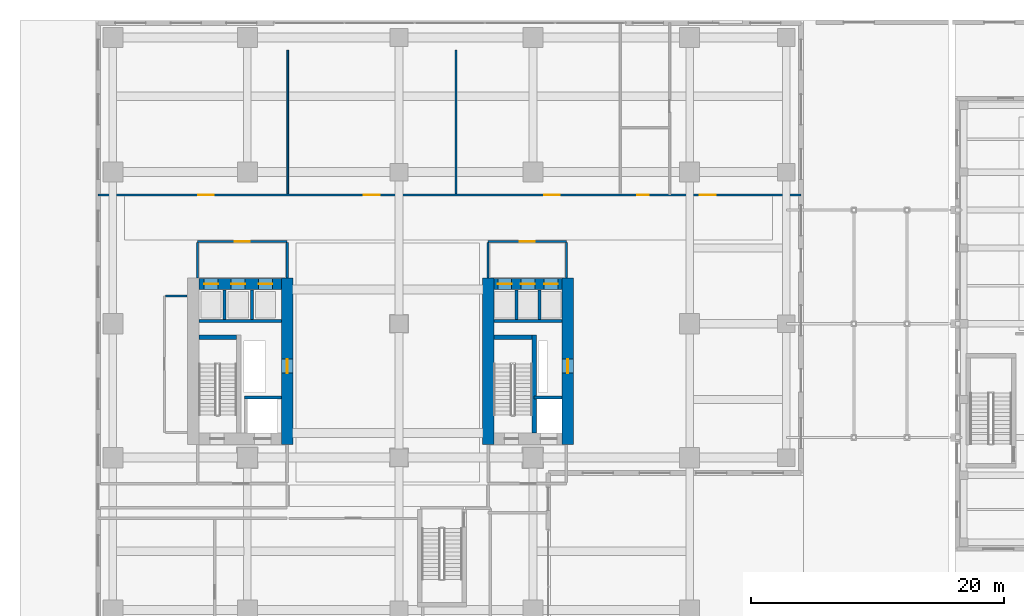
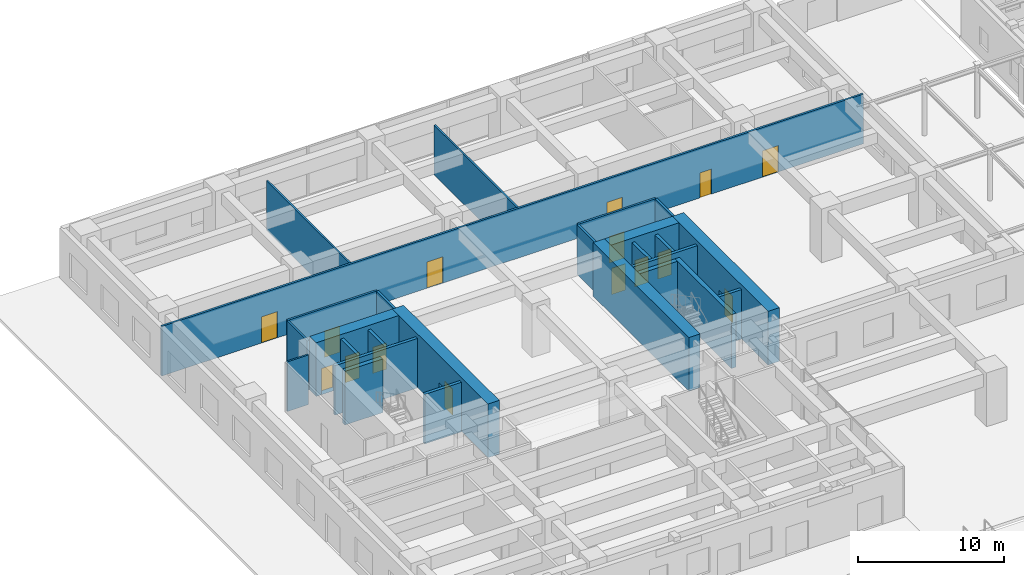
# One storey, part 25 of 39: 26 walls, 15 doors, 15 openings.
"""IFC4 building model written with IfcOpenShell, lengths in metres."""

from ifc_helpers import new_model, si_unit, direction, frame, frame_2d, origin, place, context, subcontext, project, spatial, rectangle, extrude, source, transform, mapped, material, layer, layer_set, type_object, element, fill, save


model = new_model("IFC4")

# Units and contexts
model_context = context("Model", 3, precision=1e-05, world=origin(), true_north=direction((0.0, 1.0)))
body_context = subcontext(model_context, "Body", "Model", "MODEL_VIEW")
ifc_project = project(units=[si_unit("LENGTHUNIT", "METRE"), si_unit("AREAUNIT", "SQUARE_METRE"), si_unit("VOLUMEUNIT", "CUBIC_METRE"), si_unit("PLANEANGLEUNIT", "RADIAN"), si_unit("MASSUNIT", "GRAM", prefix="KILO")], contexts=[model_context])

# Site, building, storey
site_placement = place(None, origin())
site = spatial("IfcSite", under=ifc_project, at=site_placement, CompositionType="ELEMENT")
building_placement = place(site_placement, origin())
building = spatial("IfcBuilding", under=site, at=building_placement, Name="Khoralis Quay Care Tower", CompositionType="ELEMENT")
storey_placement = place(building_placement, origin())
storey = spatial("IfcBuildingStorey", under=building, at=storey_placement, Name="L00", CompositionType="ELEMENT", Elevation=0.0)

# Wall, opening, door
ifc_material_1 = material(Name="Concrete C80/95", Category="concrete")
ifc_layer_1 = layer(ifc_material_1, 0.89990234375)
ifc_layer_set_1 = layer_set([ifc_layer_1], Name="Concrete C80/95")
wall_type_1 = type_object("IfcWallType", Name="WL-CORE-900", PredefinedType="SHEAR", material=ifc_layer_set_1)
wall_1_placement = place(storey_placement, frame((15.14990234375, 14.449951171875, 0.0), z_axis=(0.0, 0.0, 1.0), x_axis=(0.0, 1.0, 0.0)))
wall_1 = element("IfcWall", 1, at=wall_1_placement, inside=storey, type_object=wall_type_1, Name="L00 WCORE East Shear Wall", PredefinedType="SHEAR", context=body_context, shape_type="SweptSolid", body=[
    extrude(rectangle(XDim=13.150146484375, YDim=0.89990234375, at=frame_2d((6.5751953125, 0.0))), origin(), (0.0, 0.0, 1.0), 4.5),
])
opening_1_placement = place(wall_1_placement, frame((5.64990234375, 0.0, 0.0)))
opening_1 = element("IfcOpeningElement", 2, at=opening_1_placement, cuts=wall_1, Name="Opening SD1", PredefinedType="OPENING", context=body_context, shape_type="SweptSolid", body=[
    extrude(rectangle(XDim=1.10009765625, YDim=2.199951171875, at=frame_2d((0.550048828125, 1.10009765625))), frame((0.0, 0.4599609375, 0.0), z_axis=(0.0, -1.0, 0.0), x_axis=(1.0, 0.0, 0.0)), (0.0, 0.0, 1.0), 0.919921875),
])
ifc_material_2 = material(Name="Fire-rated painted steel", Category="steel")
door_type_1 = type_object("IfcDoorType", Name="DR-STAIR-1100X2200", OperationType="NOTDEFINED", PredefinedType="DOOR", material=ifc_material_2)
shared_shape_1 = source(origin(), body_context, "Body", "SweptSolid", [
    extrude(rectangle(XDim=1.10009765625, YDim=2.199951171875, at=frame_2d((0.550048828125, 1.10009765625))), frame((0.0, 0.02490234375, 0.0), z_axis=(0.0, -1.0, 0.0), x_axis=(1.0, 0.0, 0.0)), (0.0, 0.0, 1.0), 0.050048828125),
])
door_1_placement = place(opening_1_placement, origin())
door_1 = element("IfcDoor", 3, at=door_1_placement, inside=storey, type_object=door_type_1, Name="L00 West MEP Riser Door", OperationType="SINGLE_SWING_RIGHT", OverallHeight=2.199951171875, OverallWidth=1.10009765625, PredefinedType="DOOR", context=body_context, shape_type="MappedRepresentation", body=[
    mapped(shared_shape_1, transform((0.0, 0.0, 0.0), scale=1.0)),
])
fill(opening_1, door_1)

# Wall, openings, doors
wall_2_placement = place(storey_placement, frame((8.14990234375, 27.14990234375, 0.0), z_axis=(0.0, 0.0, 1.0), x_axis=(1.0, 0.0, 0.0)))
wall_2 = element("IfcWall", 4, at=wall_2_placement, inside=storey, type_object=wall_type_1, Name="L00 WCORE North Shear Wall", PredefinedType="SHEAR", context=body_context, shape_type="SweptSolid", body=[
    extrude(rectangle(XDim=6.550048828125, YDim=0.89990234375, at=frame_2d((3.27490234375, 0.0))), origin(), (0.0, 0.0, 1.0), 4.5),
])
opening_2_placement = place(wall_2_placement, frame((0.429931640625, 0.0, 0.0)))
opening_2 = element("IfcOpeningElement", 5, at=opening_2_placement, cuts=wall_2, Name="Opening LD1", PredefinedType="OPENING", context=body_context, shape_type="SweptSolid", body=[
    extrude(rectangle(XDim=1.10009765625, YDim=2.199951171875, at=frame_2d((0.550048828125, 1.10009765625))), frame((0.0, 0.4599609375, 0.0), z_axis=(0.0, -1.0, 0.0), x_axis=(1.0, 0.0, 0.0)), (0.0, 0.0, 1.0), 0.919921875),
])
opening_3_placement = place(wall_2_placement, frame((2.570068359375, 0.0, 0.0)))
opening_3 = element("IfcOpeningElement", 6, at=opening_3_placement, cuts=wall_2, Name="Opening LD1", PredefinedType="OPENING", context=body_context, shape_type="SweptSolid", body=[
    extrude(rectangle(XDim=1.10009765625, YDim=2.199951171875, at=frame_2d((0.550048828125, 1.10009765625))), frame((0.0, 0.4599609375, 0.0), z_axis=(0.0, -1.0, 0.0), x_axis=(1.0, 0.0, 0.0)), (0.0, 0.0, 1.0), 0.919921875),
])
opening_4_placement = place(wall_2_placement, frame((4.72998046875, 0.0, 0.0)))
opening_4 = element("IfcOpeningElement", 7, at=opening_4_placement, cuts=wall_2, Name="Opening LD1", PredefinedType="OPENING", context=body_context, shape_type="SweptSolid", body=[
    extrude(rectangle(XDim=1.10009765625, YDim=2.199951171875, at=frame_2d((0.550048828125, 1.10009765625))), frame((0.0, 0.4599609375, 0.0), z_axis=(0.0, -1.0, 0.0), x_axis=(1.0, 0.0, 0.0)), (0.0, 0.0, 1.0), 0.919921875),
])
ifc_material_3 = material(Name="Brushed stainless steel", Category="steel")
door_type_2 = type_object("IfcDoorType", Name="DR-LIFT-1100X2200", OperationType="SLIDING_TO_LEFT", PredefinedType="DOOR", material=ifc_material_3)
shared_shape_2 = source(origin(), body_context, "Body", "SweptSolid", [
    extrude(rectangle(XDim=1.10009765625, YDim=2.199951171875, at=frame_2d((0.550048828125, 1.10009765625))), frame((0.0, 0.02490234375, 0.0), z_axis=(0.0, -1.0, 0.0), x_axis=(1.0, 0.0, 0.0)), (0.0, 0.0, 1.0), 0.050048828125),
])
door_2_placement = place(opening_2_placement, origin())
door_2 = element("IfcDoor", 8, at=door_2_placement, inside=storey, type_object=door_type_2, Name="L00 Lift PLL1 Landing Door", OperationType="SLIDING_TO_LEFT", OverallHeight=2.199951171875, OverallWidth=1.10009765625, PredefinedType="DOOR", context=body_context, shape_type="MappedRepresentation", body=[
    mapped(shared_shape_2, transform((0.0, 0.0, 0.0), scale=1.0)),
])
fill(opening_2, door_2)
door_3_placement = place(opening_3_placement, origin())
door_3 = element("IfcDoor", 9, at=door_3_placement, inside=storey, type_object=door_type_2, Name="L00 Lift PLM1 Landing Door", OperationType="SLIDING_TO_LEFT", OverallHeight=2.199951171875, OverallWidth=1.10009765625, PredefinedType="DOOR", context=body_context, shape_type="MappedRepresentation", body=[
    mapped(shared_shape_2, transform((0.0, 0.0, 0.0), scale=1.0)),
])
fill(opening_3, door_3)
door_4_placement = place(opening_4_placement, origin())
door_4 = element("IfcDoor", 10, at=door_4_placement, inside=storey, type_object=door_type_2, Name="L00 Lift PLH1 Landing Door", OperationType="SLIDING_TO_LEFT", OverallHeight=2.199951171875, OverallWidth=1.10009765625, PredefinedType="DOOR", context=body_context, shape_type="MappedRepresentation", body=[
    mapped(shared_shape_2, transform((0.0, 0.0, 0.0), scale=1.0)),
])
fill(opening_4, door_4)

# Wall
wall_3_placement = place(storey_placement, frame((31.070068359375, 14.449951171875, 0.0), z_axis=(0.0, 0.0, 1.0), x_axis=(0.0, 1.0, 0.0)))
element("IfcWall", 11, at=wall_3_placement, inside=storey, type_object=wall_type_1, Name="L00 ECORE West Shear Wall", PredefinedType="SHEAR", context=body_context, shape_type="SweptSolid", body=[
    extrude(rectangle(XDim=13.150146484375, YDim=0.89990234375, at=frame_2d((6.5751953125, 0.0))), origin(), (0.0, 0.0, 1.0), 4.5),
])

# Wall, opening, door
wall_4_placement = place(storey_placement, frame((37.35009765625, 14.449951171875, 0.0), z_axis=(0.0, 0.0, 1.0), x_axis=(0.0, 1.0, 0.0)))
wall_4 = element("IfcWall", 12, at=wall_4_placement, inside=storey, type_object=wall_type_1, Name="L00 ECORE East Shear Wall", PredefinedType="SHEAR", context=body_context, shape_type="SweptSolid", body=[
    extrude(rectangle(XDim=13.150146484375, YDim=0.89990234375, at=frame_2d((6.5751953125, 0.0))), origin(), (0.0, 0.0, 1.0), 4.5),
])
opening_5_placement = place(wall_4_placement, frame((5.64990234375, 0.0, 0.0)))
opening_5 = element("IfcOpeningElement", 13, at=opening_5_placement, cuts=wall_4, Name="Opening SD1", PredefinedType="OPENING", context=body_context, shape_type="SweptSolid", body=[
    extrude(rectangle(XDim=1.10009765625, YDim=2.199951171875, at=frame_2d((0.550048828125, 1.10009765625))), frame((0.0, 0.4599609375, 0.0), z_axis=(0.0, -1.0, 0.0), x_axis=(1.0, 0.0, 0.0)), (0.0, 0.0, 1.0), 0.919921875),
])
door_5_placement = place(opening_5_placement, frame((1.10009765625, 0.0, 0.0), z_axis=(0.0, 0.0, 1.0), x_axis=(-1.0, 0.0, 0.0)))
door_5 = element("IfcDoor", 14, at=door_5_placement, inside=storey, type_object=door_type_1, Name="L00 East MEP Riser Door", OperationType="SINGLE_SWING_LEFT", OverallHeight=2.199951171875, OverallWidth=1.10009765625, PredefinedType="DOOR", context=body_context, shape_type="MappedRepresentation", body=[
    mapped(shared_shape_1, transform((0.0, 0.0, 0.0), scale=1.0)),
])
fill(opening_5, door_5)

# Wall, openings, doors
wall_5_placement = place(storey_placement, frame((31.52001953125, 27.14990234375, 0.0), z_axis=(0.0, 0.0, 1.0), x_axis=(1.0, 0.0, 0.0)))
wall_5 = element("IfcWall", 15, at=wall_5_placement, inside=storey, type_object=wall_type_1, Name="L00 ECORE North Shear Wall", PredefinedType="SHEAR", context=body_context, shape_type="SweptSolid", body=[
    extrude(rectangle(XDim=5.3798828125, YDim=0.89990234375, at=frame_2d((2.68994140625, 0.0))), origin(), (0.0, 0.0, 1.0), 4.5),
])
opening_6_placement = place(wall_5_placement, frame((0.300048828125, 0.0, 0.0)))
opening_6 = element("IfcOpeningElement", 16, at=opening_6_placement, cuts=wall_5, Name="Opening LD1", PredefinedType="OPENING", context=body_context, shape_type="SweptSolid", body=[
    extrude(rectangle(XDim=1.10009765625, YDim=2.199951171875, at=frame_2d((0.550048828125, 1.10009765625))), frame((0.0, 0.4599609375, 0.0), z_axis=(0.0, -1.0, 0.0), x_axis=(1.0, 0.0, 0.0)), (0.0, 0.0, 1.0), 0.919921875),
])
opening_7_placement = place(wall_5_placement, frame((2.1298828125, 0.0, 0.0)))
opening_7 = element("IfcOpeningElement", 17, at=opening_7_placement, cuts=wall_5, Name="Opening LD1", PredefinedType="OPENING", context=body_context, shape_type="SweptSolid", body=[
    extrude(rectangle(XDim=1.10009765625, YDim=2.199951171875, at=frame_2d((0.550048828125, 1.10009765625))), frame((0.0, 0.4599609375, 0.0), z_axis=(0.0, -1.0, 0.0), x_axis=(1.0, 0.0, 0.0)), (0.0, 0.0, 1.0), 0.919921875),
])
opening_8_placement = place(wall_5_placement, frame((3.9599609375, 0.0, 0.0)))
opening_8 = element("IfcOpeningElement", 18, at=opening_8_placement, cuts=wall_5, Name="Opening LD1", PredefinedType="OPENING", context=body_context, shape_type="SweptSolid", body=[
    extrude(rectangle(XDim=1.10009765625, YDim=2.199951171875, at=frame_2d((0.550048828125, 1.10009765625))), frame((0.0, 0.4599609375, 0.0), z_axis=(0.0, -1.0, 0.0), x_axis=(1.0, 0.0, 0.0)), (0.0, 0.0, 1.0), 0.919921875),
])
door_6_placement = place(opening_6_placement, origin())
door_6 = element("IfcDoor", 19, at=door_6_placement, inside=storey, type_object=door_type_2, Name="L00 Lift PLL2 Landing Door", OperationType="SLIDING_TO_LEFT", OverallHeight=2.199951171875, OverallWidth=1.10009765625, PredefinedType="DOOR", context=body_context, shape_type="MappedRepresentation", body=[
    mapped(shared_shape_2, transform((0.0, 0.0, 0.0), scale=1.0)),
])
fill(opening_6, door_6)
door_7_placement = place(opening_7_placement, origin())
door_7 = element("IfcDoor", 20, at=door_7_placement, inside=storey, type_object=door_type_2, Name="L00 Lift PLM2 Landing Door", OperationType="SLIDING_TO_LEFT", OverallHeight=2.199951171875, OverallWidth=1.10009765625, PredefinedType="DOOR", context=body_context, shape_type="MappedRepresentation", body=[
    mapped(shared_shape_2, transform((0.0, 0.0, 0.0), scale=1.0)),
])
fill(opening_7, door_7)
door_8_placement = place(opening_8_placement, origin())
door_8 = element("IfcDoor", 21, at=door_8_placement, inside=storey, type_object=door_type_2, Name="L00 Lift PLH2 Landing Door", OperationType="SLIDING_TO_LEFT", OverallHeight=2.199951171875, OverallWidth=1.10009765625, PredefinedType="DOOR", context=body_context, shape_type="MappedRepresentation", body=[
    mapped(shared_shape_2, transform((0.0, 0.0, 0.0), scale=1.0)),
])
fill(opening_8, door_8)

# Wall, opening, door
ifc_material_4 = material(Name="Gypsum plasterboard on acoustic metal stud")
ifc_layer_2 = layer(ifc_material_4, 0.1650390625)
ifc_layer_set_2 = layer_set([ifc_layer_2], Name="Gypsum plasterboard on acoustic metal stud")
wall_type_2 = type_object("IfcWallType", Name="WL-CORR-165", PredefinedType="PARTITIONING", material=ifc_layer_set_2)
wall_6_placement = place(storey_placement, frame((8.050048828125, 30.5, 0.0), z_axis=(0.0, 0.0, 1.0), x_axis=(1.0, 0.0, 0.0)))
wall_6 = element("IfcWall", 22, at=wall_6_placement, inside=storey, type_object=wall_type_2, Name="L00 West Lift Lobby North Wall", PredefinedType="PARTITIONING", context=body_context, shape_type="SweptSolid", body=[
    extrude(rectangle(XDim=7.099853515625, YDim=0.1650390625, at=frame_2d((3.5498046875, 0.0))), origin(), (0.0, 0.0, 1.0), 4.159912109375),
])
opening_9_placement = place(wall_6_placement, frame((2.949951171875, 0.0, 0.0)))
opening_9 = element("IfcOpeningElement", 23, at=opening_9_placement, cuts=wall_6, Name="Opening FD1", PredefinedType="OPENING", context=body_context, shape_type="SweptSolid", body=[
    extrude(rectangle(XDim=1.199951171875, YDim=2.199951171875, at=frame_2d((0.60009765625, 1.10009765625))), frame((0.0, 0.092529296875, 0.0), z_axis=(0.0, -1.0, 0.0), x_axis=(1.0, 0.0, 0.0)), (0.0, 0.0, 1.0), 0.18505859375),
])
door_type_3 = type_object("IfcDoorType", Name="DR-FFL-1200X2200", OperationType="NOTDEFINED", PredefinedType="DOOR", material=ifc_material_2)
shared_shape_3 = source(origin(), body_context, "Body", "SweptSolid", [
    extrude(rectangle(XDim=1.199951171875, YDim=2.199951171875, at=frame_2d((0.60009765625, 1.10009765625))), frame((0.0, 0.02490234375, 0.0), z_axis=(0.0, -1.0, 0.0), x_axis=(1.0, 0.0, 0.0)), (0.0, 0.0, 1.0), 0.050048828125),
])
door_9_placement = place(opening_9_placement, origin())
door_9 = element("IfcDoor", 24, at=door_9_placement, inside=storey, type_object=door_type_3, Name="L00 West Lift Lobby Double Door", OperationType="DOUBLE_DOOR_SINGLE_SWING", OverallHeight=2.199951171875, OverallWidth=1.199951171875, PredefinedType="DOOR", context=body_context, shape_type="MappedRepresentation", body=[
    mapped(shared_shape_3, transform((0.0, 0.0, 0.0), scale=1.0)),
])
fill(opening_9, door_9)

# Walls
for number, where, z_axis, x_axis, name in (
    (25, (8.050048828125, 27.6201171875, 0.0), (0.0, 0.0, 1.0), (0.0, 1.0, 0.0), "L00 West Lift Lobby West Wall"),
    (26, (15.14990234375, 27.6201171875, 0.0), (0.0, 0.0, 1.0), (0.0, 1.0, 0.0), "L00 West Lift Lobby East Wall"),
):
    element("IfcWall", number, at=place(storey_placement, frame(where, z_axis=z_axis, x_axis=x_axis)), inside=storey, type_object=wall_type_2, Name=name, PredefinedType="PARTITIONING", context=body_context, shape_type="SweptSolid", body=[
        extrude(rectangle(XDim=2.802490234375, YDim=0.1650390625, at=frame_2d((1.4013671875, 0.0))), origin(), (0.0, 0.0, 1.0), 4.159912109375),
    ])

# Wall, opening, door
wall_7_placement = place(storey_placement, frame((31.050048828125, 30.5, 0.0), z_axis=(0.0, 0.0, 1.0), x_axis=(1.0, 0.0, 0.0)))
wall_7 = element("IfcWall", 27, at=wall_7_placement, inside=storey, type_object=wall_type_2, Name="L00 East Lift Lobby North Wall", PredefinedType="PARTITIONING", context=body_context, shape_type="SweptSolid", body=[
    extrude(rectangle(XDim=6.199951171875, YDim=0.1650390625, at=frame_2d((3.10009765625, 0.0))), origin(), (0.0, 0.0, 1.0), 4.159912109375),
])
opening_10_placement = place(wall_7_placement, frame((2.5, 0.0, 0.0)))
opening_10 = element("IfcOpeningElement", 28, at=opening_10_placement, cuts=wall_7, Name="Opening FD1", PredefinedType="OPENING", context=body_context, shape_type="SweptSolid", body=[
    extrude(rectangle(XDim=1.199951171875, YDim=2.199951171875, at=frame_2d((0.60009765625, 1.10009765625))), frame((0.0, 0.092529296875, 0.0), z_axis=(0.0, -1.0, 0.0), x_axis=(1.0, 0.0, 0.0)), (0.0, 0.0, 1.0), 0.18505859375),
])
door_10_placement = place(opening_10_placement, origin())
door_10 = element("IfcDoor", 29, at=door_10_placement, inside=storey, type_object=door_type_3, Name="L00 East Lift Lobby Double Door", OperationType="DOUBLE_DOOR_SINGLE_SWING", OverallHeight=2.199951171875, OverallWidth=1.199951171875, PredefinedType="DOOR", context=body_context, shape_type="MappedRepresentation", body=[
    mapped(shared_shape_3, transform((0.0, 0.0, 0.0), scale=1.0)),
])
fill(opening_10, door_10)

# Walls
for number, where, z_axis, x_axis, name in (
    (30, (31.050048828125, 27.6201171875, 0.0), (0.0, 0.0, 1.0), (0.0, 1.0, 0.0), "L00 East Lift Lobby West Wall"),
    (31, (37.25, 27.6201171875, 0.0), (0.0, 0.0, 1.0), (0.0, 1.0, 0.0), "L00 East Lift Lobby East Wall"),
):
    element("IfcWall", number, at=place(storey_placement, frame(where, z_axis=z_axis, x_axis=x_axis)), inside=storey, type_object=wall_type_2, Name=name, PredefinedType="PARTITIONING", context=body_context, shape_type="SweptSolid", body=[
        extrude(rectangle(XDim=2.802490234375, YDim=0.1650390625, at=frame_2d((1.4013671875, 0.0))), origin(), (0.0, 0.0, 1.0), 4.159912109375),
    ])

# Wall, openings, doors
wall_8_placement = place(storey_placement, frame((0.18505859375, 34.199951171875, 0.0), z_axis=(0.0, 0.0, 1.0), x_axis=(1.0, 0.0, 0.0)))
wall_8 = element("IfcWall", 32, at=wall_8_placement, inside=storey, type_object=wall_type_2, Name="L00 Podium North Concourse Wall", PredefinedType="PARTITIONING", context=body_context, shape_type="SweptSolid", body=[
    extrude(rectangle(XDim=55.6298828125, YDim=0.1650390625, at=frame_2d((27.81494140625, 0.0))), origin(), (0.0, 0.0, 1.0), 4.159912109375),
])
opening_11_placement = place(wall_8_placement, frame((7.9150390625, 0.0, 0.0)))
opening_11 = element("IfcOpeningElement", 33, at=opening_11_placement, cuts=wall_8, Name="Opening CD1", PredefinedType="OPENING", context=body_context, shape_type="SweptSolid", body=[
    extrude(rectangle(XDim=1.25, YDim=2.199951171875, at=frame_2d((0.625, 1.10009765625))), frame((0.0, 0.092529296875, 0.0), z_axis=(0.0, -1.0, 0.0), x_axis=(1.0, 0.0, 0.0)), (0.0, 0.0, 1.0), 0.18505859375),
])
opening_12_placement = place(wall_8_placement, frame((21.0400390625, 0.0, 0.0)))
opening_12 = element("IfcOpeningElement", 34, at=opening_12_placement, cuts=wall_8, Name="Opening CD1", PredefinedType="OPENING", context=body_context, shape_type="SweptSolid", body=[
    extrude(rectangle(XDim=1.25, YDim=2.199951171875, at=frame_2d((0.625, 1.10009765625))), frame((0.0, 0.092529296875, 0.0), z_axis=(0.0, -1.0, 0.0), x_axis=(1.0, 0.0, 0.0)), (0.0, 0.0, 1.0), 0.18505859375),
])
opening_13_placement = place(wall_8_placement, frame((35.2900390625, 0.0, 0.0)))
opening_13 = element("IfcOpeningElement", 35, at=opening_13_placement, cuts=wall_8, Name="Opening CD1", PredefinedType="OPENING", context=body_context, shape_type="SweptSolid", body=[
    extrude(rectangle(XDim=1.25, YDim=2.199951171875, at=frame_2d((0.625, 1.10009765625))), frame((0.0, 0.092529296875, 0.0), z_axis=(0.0, -1.0, 0.0), x_axis=(1.0, 0.0, 0.0)), (0.0, 0.0, 1.0), 0.18505859375),
])
opening_14_placement = place(wall_8_placement, frame((42.68505859375, 0.0, 0.0)))
opening_14 = element("IfcOpeningElement", 36, at=opening_14_placement, cuts=wall_8, Name="Opening WD1", PredefinedType="OPENING", context=body_context, shape_type="SweptSolid", body=[
    extrude(rectangle(XDim=0.89990234375, YDim=2.10009765625, at=frame_2d((0.449951171875, 1.050048828125))), frame((0.0, 0.092529296875, 0.0), z_axis=(0.0, -1.0, 0.0), x_axis=(1.0, 0.0, 0.0)), (0.0, 0.0, 1.0), 0.18505859375),
])
opening_15_placement = place(wall_8_placement, frame((47.635009765625, 0.0, 0.0)))
opening_15 = element("IfcOpeningElement", 37, at=opening_15_placement, cuts=wall_8, Name="Opening CD1", PredefinedType="OPENING", context=body_context, shape_type="SweptSolid", body=[
    extrude(rectangle(XDim=1.25, YDim=2.199951171875, at=frame_2d((0.625, 1.10009765625))), frame((0.0, 0.092529296875, 0.0), z_axis=(0.0, -1.0, 0.0), x_axis=(1.0, 0.0, 0.0)), (0.0, 0.0, 1.0), 0.18505859375),
])
ifc_material_5 = material(Name="Acoustic hardwood timber", Category="wood")
door_type_4 = type_object("IfcDoorType", Name="DR-BATH-900X2100", OperationType="NOTDEFINED", PredefinedType="DOOR", material=ifc_material_5)
shared_shape_4 = source(origin(), body_context, "Body", "SweptSolid", [
    extrude(rectangle(XDim=0.89990234375, YDim=2.10009765625, at=frame_2d((0.449951171875, 1.050048828125))), frame((0.0, 0.02490234375, 0.0), z_axis=(0.0, -1.0, 0.0), x_axis=(1.0, 0.0, 0.0)), (0.0, 0.0, 1.0), 0.050048828125),
])
door_11_placement = place(opening_14_placement, origin())
door_11 = element("IfcDoor", 38, at=door_11_placement, inside=storey, type_object=door_type_4, Name="L00 Public Accessible WC Suite Door", OperationType="SINGLE_SWING_LEFT", OverallHeight=2.10009765625, OverallWidth=0.89990234375, PredefinedType="DOOR", context=body_context, shape_type="MappedRepresentation", body=[
    mapped(shared_shape_4, transform((0.0, 0.0, 0.0), scale=1.0)),
])
fill(opening_14, door_11)
door_type_5 = type_object("IfcDoorType", Name="DR-CARE-1250X2200", OperationType="NOTDEFINED", PredefinedType="DOOR", material=ifc_material_5)
shared_shape_5 = source(origin(), body_context, "Body", "SweptSolid", [
    extrude(rectangle(XDim=1.25, YDim=2.199951171875, at=frame_2d((0.625, 1.10009765625))), frame((0.0, 0.02490234375, 0.0), z_axis=(0.0, -1.0, 0.0), x_axis=(1.0, 0.0, 0.0)), (0.0, 0.0, 1.0), 0.050048828125),
])
door_12_placement = place(opening_11_placement, origin())
door_12 = element("IfcDoor", 39, at=door_12_placement, inside=storey, type_object=door_type_5, Name="L00 Outpatient Triage Clinic Door", OperationType="DOUBLE_DOOR_SINGLE_SWING", OverallHeight=2.199951171875, OverallWidth=1.25, PredefinedType="DOOR", context=body_context, shape_type="MappedRepresentation", body=[
    mapped(shared_shape_5, transform((0.0, 0.0, 0.0), scale=1.0)),
])
fill(opening_11, door_12)
door_13_placement = place(opening_12_placement, origin())
door_13 = element("IfcDoor", 40, at=door_13_placement, inside=storey, type_object=door_type_5, Name="L00 Geriatric Assessment Suite Door", OperationType="DOUBLE_DOOR_SINGLE_SWING", OverallHeight=2.199951171875, OverallWidth=1.25, PredefinedType="DOOR", context=body_context, shape_type="MappedRepresentation", body=[
    mapped(shared_shape_5, transform((0.0, 0.0, 0.0), scale=1.0)),
])
fill(opening_12, door_13)
door_14_placement = place(opening_13_placement, origin())
door_14 = element("IfcDoor", 41, at=door_14_placement, inside=storey, type_object=door_type_5, Name="L00 Community Wellness Cafe Door", OperationType="DOUBLE_DOOR_SINGLE_SWING", OverallHeight=2.199951171875, OverallWidth=1.25, PredefinedType="DOOR", context=body_context, shape_type="MappedRepresentation", body=[
    mapped(shared_shape_5, transform((0.0, 0.0, 0.0), scale=1.0)),
])
fill(opening_13, door_14)
door_15_placement = place(opening_15_placement, origin())
door_15 = element("IfcDoor", 42, at=door_15_placement, inside=storey, type_object=door_type_5, Name="L00 Podium Equipment Store Door", OperationType="SINGLE_SWING_RIGHT", OverallHeight=2.199951171875, OverallWidth=1.25, PredefinedType="DOOR", context=body_context, shape_type="MappedRepresentation", body=[
    mapped(shared_shape_5, transform((0.0, 0.0, 0.0), scale=1.0)),
])
fill(opening_15, door_15)

# Walls
ifc_material_6 = material(Name="Concrete C40/50", Category="concrete")
ifc_layer_3 = layer(ifc_material_6, 0.35009765625)
ifc_layer_set_3 = layer_set([ifc_layer_3], Name="Concrete C40/50")
wall_type_3 = type_object("IfcWallType", Name="WL-SC-CORE-350", PredefinedType="SHEAR", material=ifc_layer_set_3)
wall_9_placement = place(storey_placement, frame((8.14990234375, 22.925048828125, 0.0), z_axis=(0.0, 0.0, 1.0), x_axis=(1.0, 0.0, 0.0)))
element("IfcWall", 43, at=wall_9_placement, inside=storey, type_object=wall_type_3, Name="L00 Stair ST-T1 Shear Baffle Wall North", PredefinedType="SHEAR", context=body_context, shape_type="SweptSolid", body=[
    extrude(rectangle(XDim=3.0, YDim=0.35009765625, at=frame_2d((1.5, 0.0))), origin(), (0.0, 0.0, 1.0), 4.5),
])
wall_10_placement = place(storey_placement, frame((34.695068359375, 15.35009765625, 0.0), z_axis=(0.0, 0.0, 1.0), x_axis=(0.0, 1.0, 0.0)))
element("IfcWall", 44, at=wall_10_placement, inside=storey, type_object=wall_type_3, Name="L00 Stair ST-T2 Shear Baffle Wall East", PredefinedType="SHEAR", context=body_context, shape_type="SweptSolid", body=[
    extrude(rectangle(XDim=7.75, YDim=0.35009765625, at=frame_2d((3.875, 0.0))), origin(), (0.0, 0.0, 1.0), 4.5),
])
wall_11_placement = place(storey_placement, frame((31.52001953125, 22.925048828125, 0.0), z_axis=(0.0, 0.0, 1.0), x_axis=(1.0, 0.0, 0.0)))
element("IfcWall", 45, at=wall_11_placement, inside=storey, type_object=wall_type_3, Name="L00 Stair ST-T2 Shear Baffle Wall North", PredefinedType="SHEAR", context=body_context, shape_type="SweptSolid", body=[
    extrude(rectangle(XDim=3.0, YDim=0.35009765625, at=frame_2d((1.5, 0.0))), origin(), (0.0, 0.0, 1.0), 4.5),
])
ifc_layer_4 = layer(ifc_material_4, 0.239990234375)
ifc_layer_set_4 = layer_set([ifc_layer_4], Name="Gypsum plasterboard on acoustic metal stud")
wall_type_4 = type_object("IfcWallType", Name="WL-SHAFT-240", PredefinedType="PARTITIONING", material=ifc_layer_set_4)
wall_12_placement = place(storey_placement, frame((11.760009765625, 18.169921875, 0.0), z_axis=(0.0, 0.0, 1.0), x_axis=(1.0, 0.0, 0.0)))
element("IfcWall", 46, at=wall_12_placement, inside=storey, type_object=wall_type_4, Name="L00 FFL-1 Shaft Wall North", PredefinedType="PARTITIONING", context=body_context, shape_type="SweptSolid", body=[
    extrude(rectangle(XDim=2.919921875, YDim=0.239990234375, at=frame_2d((1.4599609375, 0.0))), origin(), (0.0, 0.0, 1.0), 4.159912109375),
])
wall_13_placement = place(storey_placement, frame((34.679931640625, 18.169921875, 0.0), z_axis=(0.0, 0.0, 1.0), x_axis=(1.0, 0.0, 0.0)))
element("IfcWall", 47, at=wall_13_placement, inside=storey, type_object=wall_type_4, Name="L00 FFL-2 Shaft Wall North", PredefinedType="PARTITIONING", context=body_context, shape_type="SweptSolid", body=[
    extrude(rectangle(XDim=2.199951171875, YDim=0.239990234375, at=frame_2d((1.10009765625, 0.0))), origin(), (0.0, 0.0, 1.0), 4.159912109375),
])
wall_14_placement = place(storey_placement, frame((8.14990234375, 24.22998046875, 0.0), z_axis=(0.0, 0.0, 1.0), x_axis=(1.0, 0.0, 0.0)))
element("IfcWall", 48, at=wall_14_placement, inside=storey, type_object=wall_type_4, Name="L00 West Passenger Shaft South Wall", PredefinedType="PARTITIONING", context=body_context, shape_type="SweptSolid", body=[
    extrude(rectangle(XDim=6.530029296875, YDim=0.239990234375, at=frame_2d((3.26513671875, 0.0))), origin(), (0.0, 0.0, 1.0), 4.159912109375),
])
for number, where, z_axis, x_axis, name in (
    (49, (10.199951171875, 24.344970703125, 0.0), (0.0, 0.0, 1.0), (0.0, 1.0, 0.0), "L00 West Shaft Divider 1"),
    (50, (12.35009765625, 24.344970703125, 0.0), (0.0, 0.0, 1.0), (0.0, 1.0, 0.0), "L00 West Shaft Divider 2"),
):
    element("IfcWall", number, at=place(storey_placement, frame(where, z_axis=z_axis, x_axis=x_axis)), inside=storey, type_object=wall_type_4, Name=name, PredefinedType="PARTITIONING", context=body_context, shape_type="SweptSolid", body=[
        extrude(rectangle(XDim=2.3349609375, YDim=0.239990234375, at=frame_2d((1.16748046875, 0.0))), origin(), (0.0, 0.0, 1.0), 4.159912109375),
    ])
wall_15_placement = place(storey_placement, frame((31.52001953125, 24.22998046875, 0.0), z_axis=(0.0, 0.0, 1.0), x_axis=(1.0, 0.0, 0.0)))
element("IfcWall", 51, at=wall_15_placement, inside=storey, type_object=wall_type_4, Name="L00 East Passenger Shaft South Wall", PredefinedType="PARTITIONING", context=body_context, shape_type="SweptSolid", body=[
    extrude(rectangle(XDim=5.35986328125, YDim=0.239990234375, at=frame_2d((2.679931640625, 0.0))), origin(), (0.0, 0.0, 1.0), 4.159912109375),
])
for number, where, z_axis, x_axis, name in (
    (52, (33.2900390625, 24.344970703125, 0.0), (0.0, 0.0, 1.0), (0.0, 1.0, 0.0), "L00 East Shaft Divider 1"),
    (53, (35.110107421875, 24.344970703125, 0.0), (0.0, 0.0, 1.0), (0.0, 1.0, 0.0), "L00 East Shaft Divider 2"),
):
    element("IfcWall", number, at=place(storey_placement, frame(where, z_axis=z_axis, x_axis=x_axis)), inside=storey, type_object=wall_type_4, Name=name, PredefinedType="PARTITIONING", context=body_context, shape_type="SweptSolid", body=[
        extrude(rectangle(XDim=2.3349609375, YDim=0.239990234375, at=frame_2d((1.16748046875, 0.0))), origin(), (0.0, 0.0, 1.0), 4.159912109375),
    ])
ifc_layer_5 = layer(ifc_material_4, 0.139892578125)
ifc_layer_set_5 = layer_set([ifc_layer_5], Name="Gypsum plasterboard on acoustic metal stud")
wall_type_5 = type_object("IfcWallType", Name="WL-UNIT-140", PredefinedType="PARTITIONING", material=ifc_layer_set_5)
wall_16_placement = place(storey_placement, frame((5.527587890625, 26.199951171875, 0.0), z_axis=(0.0, 0.0, 1.0), x_axis=(1.0, 0.0, 0.0)))
element("IfcWall", 54, at=wall_16_placement, inside=storey, type_object=wall_type_5, Name="L00 West Flank North Cap", PredefinedType="PARTITIONING", context=body_context, shape_type="SweptSolid", body=[
    extrude(rectangle(XDim=1.682373046875, YDim=0.139892578125, at=frame_2d((0.84130859375, 0.0))), origin(), (0.0, 0.0, 1.0), 4.159912109375),
])
for number, where, z_axis, x_axis, name in (
    (55, (15.199951171875, 34.277587890625, 0.0), (0.0, 0.0, 1.0), (0.0, 1.0, 0.0), "L00 Podium North Split 1"),
    (56, (28.5, 34.277587890625, 0.0), (0.0, 0.0, 1.0), (0.0, 1.0, 0.0), "L00 Podium North Split 2"),
):
    element("IfcWall", number, at=place(storey_placement, frame(where, z_axis=z_axis, x_axis=x_axis)), inside=storey, type_object=wall_type_5, Name=name, PredefinedType="PARTITIONING", context=body_context, shape_type="SweptSolid", body=[
        extrude(rectangle(XDim=11.372314453125, YDim=0.139892578125, at=frame_2d((5.68603515625, 0.0))), origin(), (0.0, 0.0, 1.0), 4.159912109375),
    ])

save(model, "model.ifc")
